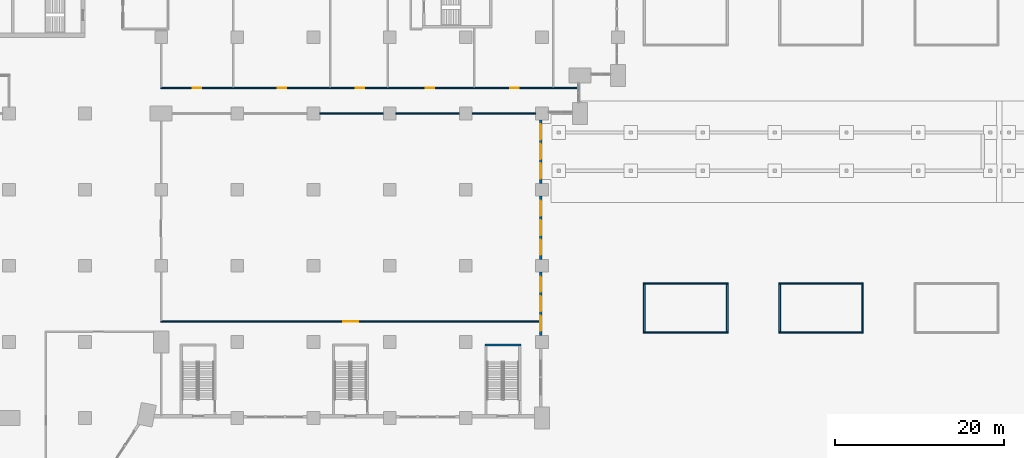
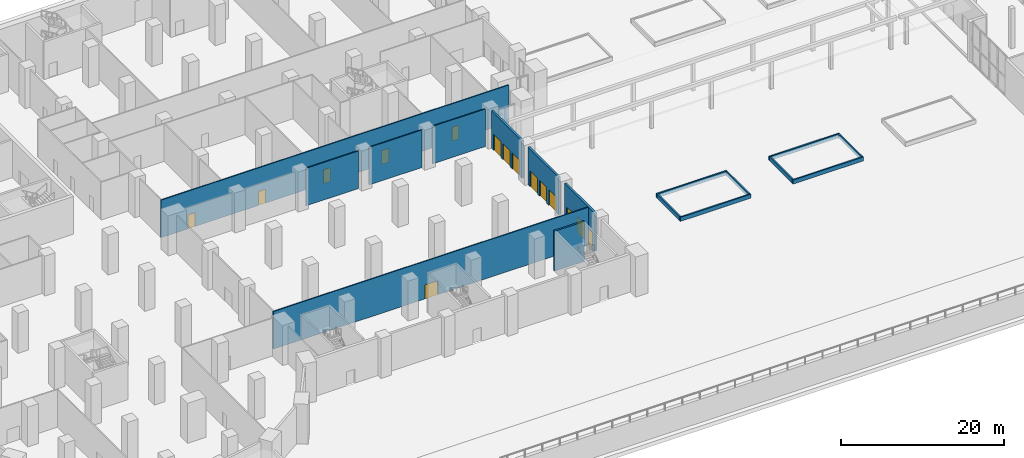
# One storey, part 17 of 47: 17 walls, 15 doors, 15 openings.
"""IFC4 building model written with IfcOpenShell, lengths in metres."""

import ifcopenshell
import ifcopenshell.guid

model = None  # the IFC model being written
_history = None  # IfcOwnerHistory: only IFC2X3 demands one
_inside = {}  # id of a spatial element -> (the spatial element, [elements in it])
_under = {}  # id of a project, library or spatial element -> (it, [spatial elements below it])
_declared = {}  # id of a project -> (the project, [libraries it declares])
_typed = {}  # id of a type object -> (the type object, [elements of that type])
_made_of = {}  # id of a material, layer set ... -> (it, [elements and type objects made of it])


def new_model(schema):
    """Start an empty IFC model of exactly this schema.

    Asked for "IFC4X3", IfcOpenShell would pick the latest addendum, in which some entities
    have other attributes; the version numbers below select the first issue.
    IFC2X3 requires an IfcOwnerHistory on every rooted entity: one is made here for all.
    """
    global model, _history
    if schema == "IFC4X3":
        model = ifcopenshell.file(schema_version=(4, 3, 0, 0))
    else:
        model = ifcopenshell.file(schema=schema)
    _inside.clear()
    _under.clear()
    _declared.clear()
    _typed.clear()
    _made_of.clear()
    _history = None
    if model.schema == "IFC2X3":
        org = make("IfcOrganization", Name="unknown")
        user = make(
            "IfcPersonAndOrganization",
            ThePerson=make("IfcPerson", FamilyName="unknown"),
            TheOrganization=org,
        )
        app = make(
            "IfcApplication",
            ApplicationDeveloper=org,
            Version="unknown",
            ApplicationFullName="unknown",
            ApplicationIdentifier="unknown",
        )
        _history = make(
            "IfcOwnerHistory",
            OwningUser=user,
            OwningApplication=app,
            ChangeAction="ADDED",
            CreationDate=0,
        )
    return model


def make(cls, **values):
    """One entity of the class cls with the attributes given. An attribute that is None is left unset."""
    return model.create_entity(
        cls, **{name: value for name, value in values.items() if value is not None}
    )


def rooted(cls, **values):
    """An entity with a GlobalId (a new one), such as an element, a storey or a relation."""
    return make(cls, GlobalId=ifcopenshell.guid.new(), OwnerHistory=_history, **values)


def si_unit(unit_type, name, prefix=None):
    """IfcSIUnit, for example si_unit("LENGTHUNIT", "METRE", prefix="MILLI")."""
    return make("IfcSIUnit", UnitType=unit_type, Prefix=prefix, Name=name)


def assignment(units):
    """IfcUnitAssignment: the units of a project."""
    return None if units is None else make("IfcUnitAssignment", Units=units)


def point(xyz):
    """IfcCartesianPoint."""
    return None if xyz is None else make("IfcCartesianPoint", Coordinates=xyz)


def direction(xyz):
    """IfcDirection."""
    return None if xyz is None else make("IfcDirection", DirectionRatios=xyz)


def frame(location, z_axis=None, x_axis=None):
    """IfcAxis2Placement3D, a coordinate frame: its origin and axes. An axis left out is left unset."""
    return make(
        "IfcAxis2Placement3D",
        Location=point(location),
        Axis=direction(z_axis),
        RefDirection=direction(x_axis),
    )


def frame_2d(location, x_axis=None):
    """IfcAxis2Placement2D, a coordinate frame in the plane: its origin and x axis."""
    return make(
        "IfcAxis2Placement2D", Location=point(location), RefDirection=direction(x_axis)
    )


def origin():
    """The frame at (0, 0, 0) with its axes left unset."""
    return frame((0.0, 0.0, 0.0))


def place(relative_to, where):
    """IfcLocalPlacement: puts the frame where relative to a parent placement (None: the world)."""
    return make(
        "IfcLocalPlacement", PlacementRelTo=relative_to, RelativePlacement=where
    )


def context(
    kind, dimensions, precision=None, world=None, true_north=None, identifier=None
):
    """IfcGeometricRepresentationContext, for example the 3D "Model" context."""
    return make(
        "IfcGeometricRepresentationContext",
        ContextIdentifier=identifier,
        ContextType=kind,
        CoordinateSpaceDimension=dimensions,
        Precision=precision,
        WorldCoordinateSystem=world,
        TrueNorth=true_north,
    )


def subcontext(parent, identifier, kind, view, scale=None):
    """IfcGeometricRepresentationSubContext, for example "Body" below "Model"."""
    return make(
        "IfcGeometricRepresentationSubContext",
        ContextIdentifier=identifier,
        ContextType=kind,
        ParentContext=parent,
        TargetScale=scale,
        TargetView=view,
    )


def project(units=None, contexts=None):
    """IfcProject with its units and contexts."""
    return rooted(
        "IfcProject",
        Name="project",
        RepresentationContexts=contexts,
        UnitsInContext=assignment(units),
    )


def spatial(cls, under=None, at=None, **own):
    """A site, building, storey or space (cls), placed at a placement, below another one or the project."""
    s = rooted(cls, ObjectPlacement=at, **own)
    if under is not None:
        _under.setdefault(under.id(), (under, []))[1].append(s)
    return s


def profile(cls, at=None, kind="AREA", **sizes):
    """A parametric profile (cls). Its sizes go by their IFC names, for example OverallWidth=200.0."""
    return make(cls, ProfileType=kind, Position=at, **sizes)


def rectangle(**sizes):
    """IfcRectangleProfileDef."""
    return profile("IfcRectangleProfileDef", **sizes)


def extrude(swept, where, along, depth):
    """IfcExtrudedAreaSolid: the profile swept, set in the frame where, extruded along a direction by depth."""
    return make(
        "IfcExtrudedAreaSolid",
        SweptArea=swept,
        Position=where,
        ExtrudedDirection=direction(along),
        Depth=depth,
    )


def shape(context_of_items, identifier, shape_type, items):
    """IfcShapeRepresentation: the items that make up one representation, for example the "Body"."""
    return make(
        "IfcShapeRepresentation",
        ContextOfItems=context_of_items,
        RepresentationIdentifier=identifier,
        RepresentationType=shape_type,
        Items=items,
    )


def material(Name=None, Category=None):
    """IfcMaterial."""
    return make("IfcMaterial", Name=Name, Category=Category)


def layer(
    of_material, thickness, ventilated=None, Name=None, Category=None, Priority=None
):
    """IfcMaterialLayer: one layer of a wall or slab, of a material (None: an air gap)."""
    return make(
        "IfcMaterialLayer",
        Material=of_material,
        LayerThickness=thickness,
        IsVentilated=ventilated,
        Name=Name,
        Category=Category,
        Priority=Priority,
    )


def layer_set(layers, Name=None):
    """IfcMaterialLayerSet."""
    return make("IfcMaterialLayerSet", MaterialLayers=layers, LayerSetName=Name)


def made_of(thing, what):
    """Note that an element or type object is made of a material, layer set ...; save() writes the relation."""
    if what is not None:
        _made_of.setdefault(what.id(), (what, []))[1].append(thing)
    return thing


def type_object(cls, material=None, **own):
    """A type object (cls), such as IfcWallType, which elements share."""
    return made_of(rooted(cls, **own), material)


def element(
    cls,
    number,
    at=None,
    inside=None,
    cuts=None,
    type_object=None,
    material=None,
    context=None,
    identifier="Body",
    shape_type=None,
    held_by="IfcProductDefinitionShape",
    body=None,
    shapes=None,
    **own,
):
    """One element of the class cls, such as IfcWall. Its Tag is "e" and its number.

    at: its placement. inside: the storey or other place that contains it. cuts: it is an
    opening in that element (IfcRelVoidsElement). A single representation is given by context,
    identifier, shape_type and body (its items); several are given by shapes. held_by: the class
    of the entity that holds the representations. save() writes the other relations.
    """
    e = rooted(cls, Tag="e%d" % number, ObjectPlacement=at, **own)
    if body is not None:
        shapes = [shape(context, identifier, shape_type, body)]
    if shapes is not None:
        e.Representation = make(held_by, Representations=shapes)
    if inside is not None:
        _inside.setdefault(inside.id(), (inside, []))[1].append(e)
    if cuts is not None:
        rooted(
            "IfcRelVoidsElement", RelatingBuildingElement=cuts, RelatedOpeningElement=e
        )
    if type_object is not None:
        _typed.setdefault(type_object.id(), (type_object, []))[1].append(e)
    return made_of(e, material)


def fill(opening, filler):
    """IfcRelFillsElement: the door or window that sits in an opening."""
    return rooted(
        "IfcRelFillsElement",
        RelatingOpeningElement=opening,
        RelatedBuildingElement=filler,
    )


def aggregate(whole, parts):
    """IfcRelAggregates: a whole, such as a stair, and the parts it consists of."""
    return rooted("IfcRelAggregates", RelatingObject=whole, RelatedObjects=parts)


def save(model, path):
    """Write the relations noted so far, then the file.

    IfcRelAggregates (storeys below a building ...), IfcRelContainedInSpatialStructure (elements
    in a storey), IfcRelDefinesByType, IfcRelAssociatesMaterial and IfcRelDeclares: one each for
    every whole, place, type object, material and project.
    """
    for whole, parts in _under.values():
        aggregate(whole, parts)
    for where, things in _inside.values():
        rooted(
            "IfcRelContainedInSpatialStructure",
            RelatedElements=things,
            RelatingStructure=where,
        )
    for kind, things in _typed.values():
        rooted("IfcRelDefinesByType", RelatedObjects=things, RelatingType=kind)
    for what, things in _made_of.values():
        rooted("IfcRelAssociatesMaterial", RelatedObjects=things, RelatingMaterial=what)
    for by, libraries in _declared.values():
        rooted("IfcRelDeclares", RelatingContext=by, RelatedDefinitions=libraries)
    model.write(path)


model = new_model("IFC4")

# Units and contexts
model_context = context("Model", 3, precision=1e-05, world=origin(), true_north=direction((0.0, 1.0)))
body_context = subcontext(model_context, "Body", "Model", "MODEL_VIEW")
ifc_project = project(units=[si_unit("LENGTHUNIT", "METRE"), si_unit("AREAUNIT", "SQUARE_METRE"), si_unit("VOLUMEUNIT", "CUBIC_METRE"), si_unit("PLANEANGLEUNIT", "RADIAN"), si_unit("MASSUNIT", "GRAM", prefix="KILO")], contexts=[model_context])

# Site, building, storey
site_placement = place(None, origin())
site = spatial("IfcSite", under=ifc_project, at=site_placement, CompositionType="ELEMENT")
building_placement = place(site_placement, origin())
building = spatial("IfcBuilding", under=site, at=building_placement, Name="Hunhe Ridgeline Campus", CompositionType="ELEMENT")
storey_placement = place(building_placement, origin())
storey = spatial("IfcBuildingStorey", under=building, at=storey_placement, Name="L00", CompositionType="ELEMENT", Elevation=0.0)

# Walls
ifc_material_1 = material(Name="Plastered blockwork", Category="masonry")
ifc_layer_1 = layer(ifc_material_1, 0.14990234375)
ifc_layer_set_1 = layer_set([ifc_layer_1], Name="Blockwork partition 150")
wall_type_1 = type_object("IfcWallType", Name="Blockwork partition 150", PredefinedType="PARTITIONING", material=ifc_layer_set_1)
for number, where, z_axis, x_axis, name in (
    (1, (63.75, 54.0, 0.0), (0.0, 0.0, 1.0), (1.0, 0.0, 0.0), "L00 partition"),
    (2, (72.75, 54.0, 0.0), (0.0, 0.0, 1.0), (1.0, 0.0, 0.0), "L00 partition"),
    (3, (81.75, 54.0, 0.0), (0.0, 0.0, 1.0), (1.0, 0.0, 0.0), "L00 partition"),
):
    element("IfcWall", number, at=place(storey_placement, frame(where, z_axis=z_axis, x_axis=x_axis)), inside=storey, type_object=wall_type_1, Name=name, PredefinedType="PARTITIONING", context=body_context, shape_type="SweptSolid", body=[
        extrude(rectangle(XDim=7.5, YDim=0.14990234375, at=frame_2d((3.75, 0.0))), origin(), (0.0, 0.0, 1.0), 5.64990234375),
    ])

# Wall, opening, door
wall_1_placement = place(storey_placement, frame((89.699951171875, 29.39990234375, 0.0), z_axis=(0.0, 0.0, 1.0), x_axis=(-1.0, 0.0, 0.0)))
wall_1 = element("IfcWall", 4, at=wall_1_placement, inside=storey, type_object=wall_type_1, Name="L00 partition", PredefinedType="PARTITIONING", context=body_context, shape_type="SweptSolid", body=[
    extrude(rectangle(XDim=44.77490234375, YDim=0.14990234375, at=frame_2d((22.387451171875, 0.0))), origin(), (0.0, 0.0, 1.0), 5.64990234375),
])
opening_1_placement = place(wall_1_placement, frame((21.39990234375, 0.0, 0.0)))
opening_1 = element("IfcOpeningElement", 5, at=opening_1_placement, cuts=wall_1, Name="Opening PD147", PredefinedType="OPENING", context=body_context, shape_type="SweptSolid", body=[
    extrude(rectangle(XDim=1.800048828125, YDim=2.10009765625, at=frame_2d((0.89990234375, 1.050048828125))), frame((0.0, 0.074951171875, 0.0), z_axis=(0.0, -1.0, 0.0), x_axis=(1.0, 0.0, 0.0)), (0.0, 0.0, 1.0), 0.14990234375),
])
ifc_material_2 = material(Name="Timber", Category="wood")
door_type_1 = type_object("IfcDoorType", Name="Podium timber double door 1800x2100", OperationType="NOTDEFINED", PredefinedType="DOOR", material=ifc_material_2)
door_1_placement = place(opening_1_placement, origin())
door_1 = element("IfcDoor", 6, at=door_1_placement, inside=storey, type_object=door_type_1, Name="Exhibition Hall door", OperationType="DOUBLE_DOOR_SINGLE_SWING", OverallHeight=2.10009765625, OverallWidth=1.800048828125, PredefinedType="DOOR", context=body_context, shape_type="SweptSolid", body=[
    extrude(rectangle(XDim=1.800048828125, YDim=2.10009765625, at=frame_2d((0.89990234375, 1.050048828125))), frame((0.0, 0.02490234375, 0.0), z_axis=(0.0, -1.0, 0.0), x_axis=(1.0, 0.0, 0.0)), (0.0, 0.0, 1.0), 0.050048828125),
])
fill(opening_1, door_1)

# Wall, openings, doors
wall_2_placement = place(storey_placement, frame((94.320068359375, 57.0, 0.0), z_axis=(0.0, 0.0, 1.0), x_axis=(-1.0, 0.0, 0.0)))
wall_2 = element("IfcWall", 7, at=wall_2_placement, inside=storey, type_object=wall_type_1, Name="L00 partition", PredefinedType="PARTITIONING", context=body_context, shape_type="SweptSolid", body=[
    extrude(rectangle(XDim=49.39501953125, YDim=0.14990234375, at=frame_2d((24.697509765625, 0.0))), origin(), (0.0, 0.0, 1.0), 5.64990234375),
])
opening_2_placement = place(wall_2_placement, frame((44.570068359375, 0.0, 0.0)))
opening_2 = element("IfcOpeningElement", 8, at=opening_2_placement, cuts=wall_2, Name="Opening PD157", PredefinedType="OPENING", context=body_context, shape_type="SweptSolid", body=[
    extrude(rectangle(XDim=1.0, YDim=2.10009765625, at=frame_2d((0.5, 1.050048828125))), frame((0.0, 0.074951171875, 0.0), z_axis=(0.0, -1.0, 0.0), x_axis=(1.0, 0.0, 0.0)), (0.0, 0.0, 1.0), 0.14990234375),
])
opening_3_placement = place(wall_2_placement, frame((34.56591796875, 0.0, 0.0)))
opening_3 = element("IfcOpeningElement", 9, at=opening_3_placement, cuts=wall_2, Name="Opening PD159", PredefinedType="OPENING", context=body_context, shape_type="SweptSolid", body=[
    extrude(rectangle(XDim=1.0, YDim=2.10009765625, at=frame_2d((0.5, 1.050048828125))), frame((0.0, 0.074951171875, 0.0), z_axis=(0.0, -1.0, 0.0), x_axis=(1.0, 0.0, 0.0)), (0.0, 0.0, 1.0), 0.14990234375),
])
opening_4_placement = place(wall_2_placement, frame((25.3359375, 0.0, 0.0)))
opening_4 = element("IfcOpeningElement", 10, at=opening_4_placement, cuts=wall_2, Name="Opening PD161", PredefinedType="OPENING", context=body_context, shape_type="SweptSolid", body=[
    extrude(rectangle(XDim=1.0, YDim=2.10009765625, at=frame_2d((0.5, 1.050048828125))), frame((0.0, 0.074951171875, 0.0), z_axis=(0.0, -1.0, 0.0), x_axis=(1.0, 0.0, 0.0)), (0.0, 0.0, 1.0), 0.14990234375),
])
opening_5_placement = place(wall_2_placement, frame((17.032958984375, 0.0, 0.0)))
opening_5 = element("IfcOpeningElement", 11, at=opening_5_placement, cuts=wall_2, Name="Opening PD162", PredefinedType="OPENING", context=body_context, shape_type="SweptSolid", body=[
    extrude(rectangle(XDim=1.0, YDim=2.10009765625, at=frame_2d((0.5, 1.050048828125))), frame((0.0, 0.074951171875, 0.0), z_axis=(0.0, -1.0, 0.0), x_axis=(1.0, 0.0, 0.0)), (0.0, 0.0, 1.0), 0.14990234375),
])
opening_6_placement = place(wall_2_placement, frame((7.077880859375, 0.0, 0.0)))
opening_6 = element("IfcOpeningElement", 12, at=opening_6_placement, cuts=wall_2, Name="Opening PD163", PredefinedType="OPENING", context=body_context, shape_type="SweptSolid", body=[
    extrude(rectangle(XDim=1.0, YDim=2.10009765625, at=frame_2d((0.5, 1.050048828125))), frame((0.0, 0.074951171875, 0.0), z_axis=(0.0, -1.0, 0.0), x_axis=(1.0, 0.0, 0.0)), (0.0, 0.0, 1.0), 0.14990234375),
])
door_type_2 = type_object("IfcDoorType", Name="Podium timber door 1000x2100", OperationType="NOTDEFINED", PredefinedType="DOOR", material=ifc_material_2)
door_2_placement = place(opening_2_placement, origin())
door_2 = element("IfcDoor", 13, at=door_2_placement, inside=storey, type_object=door_type_2, Name="Student Services Desk door", OperationType="SINGLE_SWING_RIGHT", OverallHeight=2.10009765625, OverallWidth=1.0, PredefinedType="DOOR", context=body_context, shape_type="SweptSolid", body=[
    extrude(rectangle(XDim=1.0, YDim=2.10009765625, at=frame_2d((0.5, 1.050048828125))), frame((0.0, 0.02490234375, 0.0), z_axis=(0.0, -1.0, 0.0), x_axis=(1.0, 0.0, 0.0)), (0.0, 0.0, 1.0), 0.050048828125),
])
fill(opening_2, door_2)
door_3_placement = place(opening_3_placement, origin())
door_3 = element("IfcDoor", 14, at=door_3_placement, inside=storey, type_object=door_type_2, Name="Admissions Office door", OperationType="SINGLE_SWING_RIGHT", OverallHeight=2.10009765625, OverallWidth=1.0, PredefinedType="DOOR", context=body_context, shape_type="SweptSolid", body=[
    extrude(rectangle(XDim=1.0, YDim=2.10009765625, at=frame_2d((0.5, 1.050048828125))), frame((0.0, 0.02490234375, 0.0), z_axis=(0.0, -1.0, 0.0), x_axis=(1.0, 0.0, 0.0)), (0.0, 0.0, 1.0), 0.050048828125),
])
fill(opening_3, door_3)
door_4_placement = place(opening_4_placement, origin())
door_4 = element("IfcDoor", 15, at=door_4_placement, inside=storey, type_object=door_type_2, Name="Careers Advice Office door", OperationType="SINGLE_SWING_RIGHT", OverallHeight=2.10009765625, OverallWidth=1.0, PredefinedType="DOOR", context=body_context, shape_type="SweptSolid", body=[
    extrude(rectangle(XDim=1.0, YDim=2.10009765625, at=frame_2d((0.5, 1.050048828125))), frame((0.0, 0.02490234375, 0.0), z_axis=(0.0, -1.0, 0.0), x_axis=(1.0, 0.0, 0.0)), (0.0, 0.0, 1.0), 0.050048828125),
])
fill(opening_4, door_4)
door_5_placement = place(opening_5_placement, origin())
door_5 = element("IfcDoor", 16, at=door_5_placement, inside=storey, type_object=door_type_2, Name="Student Union Office door", OperationType="SINGLE_SWING_LEFT", OverallHeight=2.10009765625, OverallWidth=1.0, PredefinedType="DOOR", context=body_context, shape_type="SweptSolid", body=[
    extrude(rectangle(XDim=1.0, YDim=2.10009765625, at=frame_2d((0.5, 1.050048828125))), frame((0.0, 0.02490234375, 0.0), z_axis=(0.0, -1.0, 0.0), x_axis=(1.0, 0.0, 0.0)), (0.0, 0.0, 1.0), 0.050048828125),
])
fill(opening_5, door_5)
door_6_placement = place(opening_6_placement, origin())
door_6 = element("IfcDoor", 17, at=door_6_placement, inside=storey, type_object=door_type_2, Name="Counselling Suite door", OperationType="SINGLE_SWING_LEFT", OverallHeight=2.10009765625, OverallWidth=1.0, PredefinedType="DOOR", context=body_context, shape_type="SweptSolid", body=[
    extrude(rectangle(XDim=1.0, YDim=2.10009765625, at=frame_2d((0.5, 1.050048828125))), frame((0.0, 0.02490234375, 0.0), z_axis=(0.0, -1.0, 0.0), x_axis=(1.0, 0.0, 0.0)), (0.0, 0.0, 1.0), 0.050048828125),
])
fill(opening_6, door_6)

ifc_material_3 = material(Name="Concrete C40", Category="concrete")
ifc_layer_2 = layer(ifc_material_3, 0.300048828125)
ifc_layer_set_2 = layer_set([ifc_layer_2], Name="External concrete wall 300 C40")
wall_type_2 = type_object("IfcWallType", Name="External concrete wall 300 C40", PredefinedType="SOLIDWALL", material=ifc_layer_set_2)
wall_3_placement = place(storey_placement, frame((89.85009765625, 35.25, 0.0), z_axis=(0.0, 0.0, 1.0), x_axis=(0.0, -1.0, 0.0)))
wall_3 = element("IfcWall", 18, at=wall_3_placement, inside=storey, type_object=wall_type_2, Name="L00 entrance wall", PredefinedType="SOLIDWALL", context=body_context, shape_type="SweptSolid", body=[
    extrude(rectangle(XDim=7.5, YDim=0.300048828125, at=frame_2d((3.75, 0.0))), origin(), (0.0, 0.0, 1.0), 5.64990234375),
])
opening_7_placement = place(wall_3_placement, frame((0.550048828125, 0.0, 0.0)))
opening_7 = element("IfcOpeningElement", 19, at=opening_7_placement, cuts=wall_3, Name="Opening XD29", PredefinedType="OPENING", context=body_context, shape_type="SweptSolid", body=[
    extrude(rectangle(XDim=1.800048828125, YDim=2.39990234375, at=frame_2d((0.89990234375, 1.199951171875))), frame((0.0, 0.14990234375, 0.0), z_axis=(0.0, -1.0, 0.0), x_axis=(1.0, 0.0, 0.0)), (0.0, 0.0, 1.0), 0.300048828125),
])
opening_8_placement = place(wall_3_placement, frame((2.85009765625, 0.0, 0.0)))
opening_8 = element("IfcOpeningElement", 20, at=opening_8_placement, cuts=wall_3, Name="Opening XD30", PredefinedType="OPENING", context=body_context, shape_type="SweptSolid", body=[
    extrude(rectangle(XDim=1.800048828125, YDim=2.39990234375, at=frame_2d((0.89990234375, 1.199951171875))), frame((0.0, 0.14990234375, 0.0), z_axis=(0.0, -1.0, 0.0), x_axis=(1.0, 0.0, 0.0)), (0.0, 0.0, 1.0), 0.300048828125),
])
opening_9_placement = place(wall_3_placement, frame((5.14990234375, 0.0, 0.0)))
opening_9 = element("IfcOpeningElement", 21, at=opening_9_placement, cuts=wall_3, Name="Opening XD31", PredefinedType="OPENING", context=body_context, shape_type="SweptSolid", body=[
    extrude(rectangle(XDim=1.800048828125, YDim=2.39990234375, at=frame_2d((0.89990234375, 1.199951171875))), frame((0.0, 0.14990234375, 0.0), z_axis=(0.0, -1.0, 0.0), x_axis=(1.0, 0.0, 0.0)), (0.0, 0.0, 1.0), 0.300048828125),
])
ifc_material_4 = material(Name="Aluminium and glass", Category="aluminium")
door_type_3 = type_object("IfcDoorType", Name="Podium glazed entrance door 1800x2400", OperationType="NOTDEFINED", PredefinedType="DOOR", material=ifc_material_4)
door_7_placement = place(opening_7_placement, origin())
door_7 = element("IfcDoor", 22, at=door_7_placement, inside=storey, type_object=door_type_3, Name="Entrance door XD29", OperationType="DOUBLE_DOOR_SINGLE_SWING", OverallHeight=2.39990234375, OverallWidth=1.800048828125, PredefinedType="DOOR", context=body_context, shape_type="SweptSolid", body=[
    extrude(rectangle(XDim=1.800048828125, YDim=2.39990234375, at=frame_2d((0.89990234375, 1.199951171875))), frame((0.0, 0.02490234375, 0.0), z_axis=(0.0, -1.0, 0.0), x_axis=(1.0, 0.0, 0.0)), (0.0, 0.0, 1.0), 0.050048828125),
])
fill(opening_7, door_7)
door_8_placement = place(opening_8_placement, origin())
door_8 = element("IfcDoor", 23, at=door_8_placement, inside=storey, type_object=door_type_3, Name="Entrance door XD30", OperationType="DOUBLE_DOOR_SINGLE_SWING", OverallHeight=2.39990234375, OverallWidth=1.800048828125, PredefinedType="DOOR", context=body_context, shape_type="SweptSolid", body=[
    extrude(rectangle(XDim=1.800048828125, YDim=2.39990234375, at=frame_2d((0.89990234375, 1.199951171875))), frame((0.0, 0.02490234375, 0.0), z_axis=(0.0, -1.0, 0.0), x_axis=(1.0, 0.0, 0.0)), (0.0, 0.0, 1.0), 0.050048828125),
])
fill(opening_8, door_8)
door_9_placement = place(opening_9_placement, origin())
door_9 = element("IfcDoor", 24, at=door_9_placement, inside=storey, type_object=door_type_3, Name="Entrance door XD31", OperationType="DOUBLE_DOOR_SINGLE_SWING", OverallHeight=2.39990234375, OverallWidth=1.800048828125, PredefinedType="DOOR", context=body_context, shape_type="SweptSolid", body=[
    extrude(rectangle(XDim=1.800048828125, YDim=2.39990234375, at=frame_2d((0.89990234375, 1.199951171875))), frame((0.0, 0.02490234375, 0.0), z_axis=(0.0, -1.0, 0.0), x_axis=(1.0, 0.0, 0.0)), (0.0, 0.0, 1.0), 0.050048828125),
])
fill(opening_9, door_9)

wall_4_placement = place(storey_placement, frame((89.85009765625, 44.25, 0.0), z_axis=(0.0, 0.0, 1.0), x_axis=(0.0, -1.0, 0.0)))
wall_4 = element("IfcWall", 25, at=wall_4_placement, inside=storey, type_object=wall_type_2, Name="L00 entrance wall", PredefinedType="SOLIDWALL", context=body_context, shape_type="SweptSolid", body=[
    extrude(rectangle(XDim=7.5, YDim=0.300048828125, at=frame_2d((3.75, 0.0))), origin(), (0.0, 0.0, 1.0), 5.64990234375),
])
opening_10_placement = place(wall_4_placement, frame((0.550048828125, 0.0, 0.0)))
opening_10 = element("IfcOpeningElement", 26, at=opening_10_placement, cuts=wall_4, Name="Opening XD32", PredefinedType="OPENING", context=body_context, shape_type="SweptSolid", body=[
    extrude(rectangle(XDim=1.800048828125, YDim=2.39990234375, at=frame_2d((0.89990234375, 1.199951171875))), frame((0.0, 0.14990234375, 0.0), z_axis=(0.0, -1.0, 0.0), x_axis=(1.0, 0.0, 0.0)), (0.0, 0.0, 1.0), 0.300048828125),
])
opening_11_placement = place(wall_4_placement, frame((2.85009765625, 0.0, 0.0)))
opening_11 = element("IfcOpeningElement", 27, at=opening_11_placement, cuts=wall_4, Name="Opening XD33", PredefinedType="OPENING", context=body_context, shape_type="SweptSolid", body=[
    extrude(rectangle(XDim=1.800048828125, YDim=2.39990234375, at=frame_2d((0.89990234375, 1.199951171875))), frame((0.0, 0.14990234375, 0.0), z_axis=(0.0, -1.0, 0.0), x_axis=(1.0, 0.0, 0.0)), (0.0, 0.0, 1.0), 0.300048828125),
])
opening_12_placement = place(wall_4_placement, frame((5.14990234375, 0.0, 0.0)))
opening_12 = element("IfcOpeningElement", 28, at=opening_12_placement, cuts=wall_4, Name="Opening XD34", PredefinedType="OPENING", context=body_context, shape_type="SweptSolid", body=[
    extrude(rectangle(XDim=1.800048828125, YDim=2.39990234375, at=frame_2d((0.89990234375, 1.199951171875))), frame((0.0, 0.14990234375, 0.0), z_axis=(0.0, -1.0, 0.0), x_axis=(1.0, 0.0, 0.0)), (0.0, 0.0, 1.0), 0.300048828125),
])
door_10_placement = place(opening_10_placement, origin())
door_10 = element("IfcDoor", 29, at=door_10_placement, inside=storey, type_object=door_type_3, Name="Entrance door XD32", OperationType="DOUBLE_DOOR_SINGLE_SWING", OverallHeight=2.39990234375, OverallWidth=1.800048828125, PredefinedType="DOOR", context=body_context, shape_type="SweptSolid", body=[
    extrude(rectangle(XDim=1.800048828125, YDim=2.39990234375, at=frame_2d((0.89990234375, 1.199951171875))), frame((0.0, 0.02490234375, 0.0), z_axis=(0.0, -1.0, 0.0), x_axis=(1.0, 0.0, 0.0)), (0.0, 0.0, 1.0), 0.050048828125),
])
fill(opening_10, door_10)
door_11_placement = place(opening_11_placement, origin())
door_11 = element("IfcDoor", 30, at=door_11_placement, inside=storey, type_object=door_type_3, Name="Entrance door XD33", OperationType="DOUBLE_DOOR_SINGLE_SWING", OverallHeight=2.39990234375, OverallWidth=1.800048828125, PredefinedType="DOOR", context=body_context, shape_type="SweptSolid", body=[
    extrude(rectangle(XDim=1.800048828125, YDim=2.39990234375, at=frame_2d((0.89990234375, 1.199951171875))), frame((0.0, 0.02490234375, 0.0), z_axis=(0.0, -1.0, 0.0), x_axis=(1.0, 0.0, 0.0)), (0.0, 0.0, 1.0), 0.050048828125),
])
fill(opening_11, door_11)
door_12_placement = place(opening_12_placement, origin())
door_12 = element("IfcDoor", 31, at=door_12_placement, inside=storey, type_object=door_type_3, Name="Entrance door XD34", OperationType="DOUBLE_DOOR_SINGLE_SWING", OverallHeight=2.39990234375, OverallWidth=1.800048828125, PredefinedType="DOOR", context=body_context, shape_type="SweptSolid", body=[
    extrude(rectangle(XDim=1.800048828125, YDim=2.39990234375, at=frame_2d((0.89990234375, 1.199951171875))), frame((0.0, 0.02490234375, 0.0), z_axis=(0.0, -1.0, 0.0), x_axis=(1.0, 0.0, 0.0)), (0.0, 0.0, 1.0), 0.050048828125),
])
fill(opening_12, door_12)

wall_5_placement = place(storey_placement, frame((89.85009765625, 53.25, 0.0), z_axis=(0.0, 0.0, 1.0), x_axis=(0.0, -1.0, 0.0)))
wall_5 = element("IfcWall", 32, at=wall_5_placement, inside=storey, type_object=wall_type_2, Name="L00 entrance wall", PredefinedType="SOLIDWALL", context=body_context, shape_type="SweptSolid", body=[
    extrude(rectangle(XDim=7.5, YDim=0.300048828125, at=frame_2d((3.75, 0.0))), origin(), (0.0, 0.0, 1.0), 5.64990234375),
])
opening_13_placement = place(wall_5_placement, frame((0.550048828125, 0.0, 0.0)))
opening_13 = element("IfcOpeningElement", 33, at=opening_13_placement, cuts=wall_5, Name="Opening XD35", PredefinedType="OPENING", context=body_context, shape_type="SweptSolid", body=[
    extrude(rectangle(XDim=1.800048828125, YDim=2.39990234375, at=frame_2d((0.89990234375, 1.199951171875))), frame((0.0, 0.14990234375, 0.0), z_axis=(0.0, -1.0, 0.0), x_axis=(1.0, 0.0, 0.0)), (0.0, 0.0, 1.0), 0.300048828125),
])
opening_14_placement = place(wall_5_placement, frame((2.85009765625, 0.0, 0.0)))
opening_14 = element("IfcOpeningElement", 34, at=opening_14_placement, cuts=wall_5, Name="Opening XD36", PredefinedType="OPENING", context=body_context, shape_type="SweptSolid", body=[
    extrude(rectangle(XDim=1.800048828125, YDim=2.39990234375, at=frame_2d((0.89990234375, 1.199951171875))), frame((0.0, 0.14990234375, 0.0), z_axis=(0.0, -1.0, 0.0), x_axis=(1.0, 0.0, 0.0)), (0.0, 0.0, 1.0), 0.300048828125),
])
opening_15_placement = place(wall_5_placement, frame((5.14990234375, 0.0, 0.0)))
opening_15 = element("IfcOpeningElement", 35, at=opening_15_placement, cuts=wall_5, Name="Opening XD37", PredefinedType="OPENING", context=body_context, shape_type="SweptSolid", body=[
    extrude(rectangle(XDim=1.800048828125, YDim=2.39990234375, at=frame_2d((0.89990234375, 1.199951171875))), frame((0.0, 0.14990234375, 0.0), z_axis=(0.0, -1.0, 0.0), x_axis=(1.0, 0.0, 0.0)), (0.0, 0.0, 1.0), 0.300048828125),
])
door_13_placement = place(opening_13_placement, origin())
door_13 = element("IfcDoor", 36, at=door_13_placement, inside=storey, type_object=door_type_3, Name="Entrance door XD35", OperationType="DOUBLE_DOOR_SINGLE_SWING", OverallHeight=2.39990234375, OverallWidth=1.800048828125, PredefinedType="DOOR", context=body_context, shape_type="SweptSolid", body=[
    extrude(rectangle(XDim=1.800048828125, YDim=2.39990234375, at=frame_2d((0.89990234375, 1.199951171875))), frame((0.0, 0.02490234375, 0.0), z_axis=(0.0, -1.0, 0.0), x_axis=(1.0, 0.0, 0.0)), (0.0, 0.0, 1.0), 0.050048828125),
])
fill(opening_13, door_13)
door_14_placement = place(opening_14_placement, origin())
door_14 = element("IfcDoor", 37, at=door_14_placement, inside=storey, type_object=door_type_3, Name="Entrance door XD36", OperationType="DOUBLE_DOOR_SINGLE_SWING", OverallHeight=2.39990234375, OverallWidth=1.800048828125, PredefinedType="DOOR", context=body_context, shape_type="SweptSolid", body=[
    extrude(rectangle(XDim=1.800048828125, YDim=2.39990234375, at=frame_2d((0.89990234375, 1.199951171875))), frame((0.0, 0.02490234375, 0.0), z_axis=(0.0, -1.0, 0.0), x_axis=(1.0, 0.0, 0.0)), (0.0, 0.0, 1.0), 0.050048828125),
])
fill(opening_14, door_14)
door_15_placement = place(opening_15_placement, origin())
door_15 = element("IfcDoor", 38, at=door_15_placement, inside=storey, type_object=door_type_3, Name="Entrance door XD37", OperationType="DOUBLE_DOOR_SINGLE_SWING", OverallHeight=2.39990234375, OverallWidth=1.800048828125, PredefinedType="DOOR", context=body_context, shape_type="SweptSolid", body=[
    extrude(rectangle(XDim=1.800048828125, YDim=2.39990234375, at=frame_2d((0.89990234375, 1.199951171875))), frame((0.0, 0.02490234375, 0.0), z_axis=(0.0, -1.0, 0.0), x_axis=(1.0, 0.0, 0.0)), (0.0, 0.0, 1.0), 0.050048828125),
])
fill(opening_15, door_15)

# Walls
ifc_material_5 = material(Name="Concrete C30", Category="concrete")
ifc_layer_3 = layer(ifc_material_5, 0.199951171875)
ifc_layer_set_3 = layer_set([ifc_layer_3], Name="Planter kerb wall 200 C30")
wall_type_3 = type_object("IfcWallType", Name="Planter kerb wall 200 C30", PredefinedType="SOLIDWALL", material=ifc_layer_set_3)
wall_6_placement = place(storey_placement, frame((102.0, 28.10009765625, 0.0), z_axis=(0.0, 0.0, 1.0), x_axis=(1.0, 0.0, 0.0)))
element("IfcWall", 39, at=wall_6_placement, inside=storey, type_object=wall_type_3, Name="Garden planter 1 kerb", PredefinedType="SOLIDWALL", context=body_context, shape_type="SweptSolid", body=[
    extrude(rectangle(XDim=10.0, YDim=0.199951171875, at=frame_2d((5.0, 0.0))), origin(), (0.0, 0.0, 1.0), 0.60009765625),
])
wall_7_placement = place(storey_placement, frame((111.89990234375, 28.199951171875, 0.0), z_axis=(0.0, 0.0, 1.0), x_axis=(0.0, 1.0, 0.0)))
element("IfcWall", 40, at=wall_7_placement, inside=storey, type_object=wall_type_3, Name="Garden planter 1 kerb", PredefinedType="SOLIDWALL", context=body_context, shape_type="SweptSolid", body=[
    extrude(rectangle(XDim=5.60009765625, YDim=0.199951171875, at=frame_2d((2.800048828125, 0.0))), origin(), (0.0, 0.0, 1.0), 0.60009765625),
])
wall_8_placement = place(storey_placement, frame((112.0, 33.89990234375, 0.0), z_axis=(0.0, 0.0, 1.0), x_axis=(-1.0, 0.0, 0.0)))
element("IfcWall", 41, at=wall_8_placement, inside=storey, type_object=wall_type_3, Name="Garden planter 1 kerb", PredefinedType="SOLIDWALL", context=body_context, shape_type="SweptSolid", body=[
    extrude(rectangle(XDim=10.0, YDim=0.199951171875, at=frame_2d((5.0, 0.0))), origin(), (0.0, 0.0, 1.0), 0.60009765625),
])
wall_9_placement = place(storey_placement, frame((102.10009765625, 33.800048828125, 0.0), z_axis=(0.0, 0.0, 1.0), x_axis=(0.0, -1.0, 0.0)))
element("IfcWall", 42, at=wall_9_placement, inside=storey, type_object=wall_type_3, Name="Garden planter 1 kerb", PredefinedType="SOLIDWALL", context=body_context, shape_type="SweptSolid", body=[
    extrude(rectangle(XDim=5.60009765625, YDim=0.199951171875, at=frame_2d((2.800048828125, 0.0))), origin(), (0.0, 0.0, 1.0), 0.60009765625),
])
wall_10_placement = place(storey_placement, frame((118.0, 28.10009765625, 0.0), z_axis=(0.0, 0.0, 1.0), x_axis=(1.0, 0.0, 0.0)))
element("IfcWall", 43, at=wall_10_placement, inside=storey, type_object=wall_type_3, Name="Garden planter 2 kerb", PredefinedType="SOLIDWALL", context=body_context, shape_type="SweptSolid", body=[
    extrude(rectangle(XDim=10.0, YDim=0.199951171875, at=frame_2d((5.0, 0.0))), origin(), (0.0, 0.0, 1.0), 0.60009765625),
])
wall_11_placement = place(storey_placement, frame((127.89990234375, 28.199951171875, 0.0), z_axis=(0.0, 0.0, 1.0), x_axis=(0.0, 1.0, 0.0)))
element("IfcWall", 44, at=wall_11_placement, inside=storey, type_object=wall_type_3, Name="Garden planter 2 kerb", PredefinedType="SOLIDWALL", context=body_context, shape_type="SweptSolid", body=[
    extrude(rectangle(XDim=5.60009765625, YDim=0.199951171875, at=frame_2d((2.800048828125, 0.0))), origin(), (0.0, 0.0, 1.0), 0.60009765625),
])
wall_12_placement = place(storey_placement, frame((128.0, 33.89990234375, 0.0), z_axis=(0.0, 0.0, 1.0), x_axis=(-1.0, 0.0, 0.0)))
element("IfcWall", 45, at=wall_12_placement, inside=storey, type_object=wall_type_3, Name="Garden planter 2 kerb", PredefinedType="SOLIDWALL", context=body_context, shape_type="SweptSolid", body=[
    extrude(rectangle(XDim=10.0, YDim=0.199951171875, at=frame_2d((5.0, 0.0))), origin(), (0.0, 0.0, 1.0), 0.60009765625),
])
wall_13_placement = place(storey_placement, frame((118.10009765625, 33.800048828125, 0.0), z_axis=(0.0, 0.0, 1.0), x_axis=(0.0, -1.0, 0.0)))
element("IfcWall", 46, at=wall_13_placement, inside=storey, type_object=wall_type_3, Name="Garden planter 2 kerb", PredefinedType="SOLIDWALL", context=body_context, shape_type="SweptSolid", body=[
    extrude(rectangle(XDim=5.60009765625, YDim=0.199951171875, at=frame_2d((2.800048828125, 0.0))), origin(), (0.0, 0.0, 1.0), 0.60009765625),
])
ifc_layer_4 = layer(ifc_material_3, 0.25)
ifc_layer_set_4 = layer_set([ifc_layer_4], Name="Stair shaft wall 250 C40")
wall_type_4 = type_object("IfcWallType", Name="Stair shaft wall 250 C40", PredefinedType="SOLIDWALL", material=ifc_layer_set_4)
wall_14_placement = place(storey_placement, frame((83.25, 26.625, 0.0), z_axis=(0.0, 0.0, 1.0), x_axis=(1.0, 0.0, 0.0)))
element("IfcWall", 47, at=wall_14_placement, inside=storey, type_object=wall_type_4, Name="L00 PS3 shaft wall", PredefinedType="SOLIDWALL", context=body_context, shape_type="SweptSolid", body=[
    extrude(rectangle(XDim=4.25, YDim=0.25, at=frame_2d((2.125, 0.0))), origin(), (0.0, 0.0, 1.0), 6.0),
])

save(model, "model.ifc")
